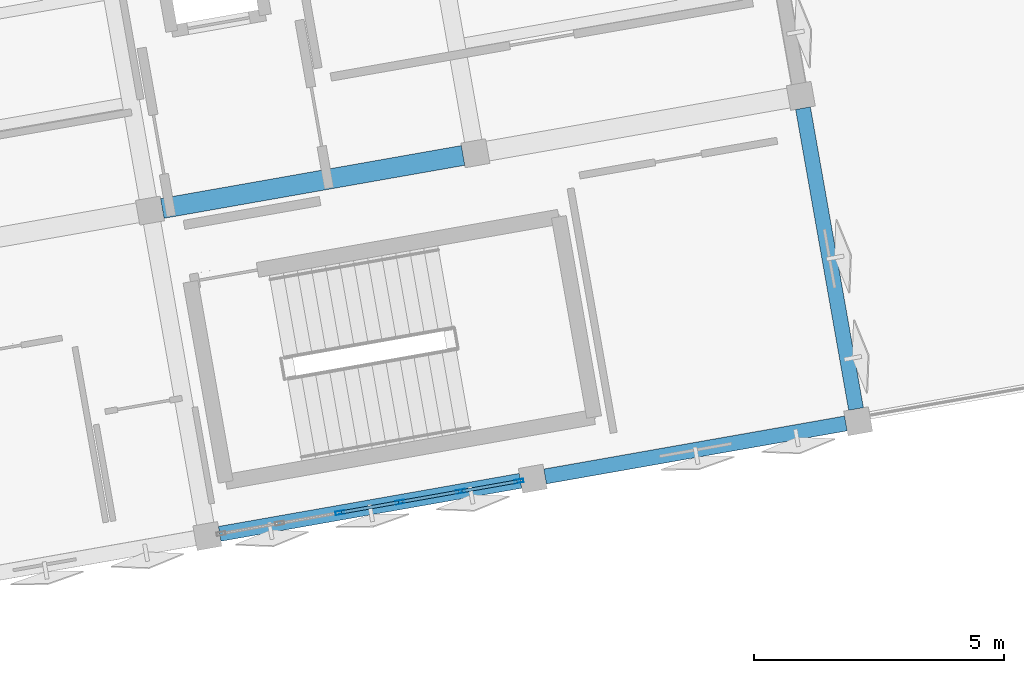
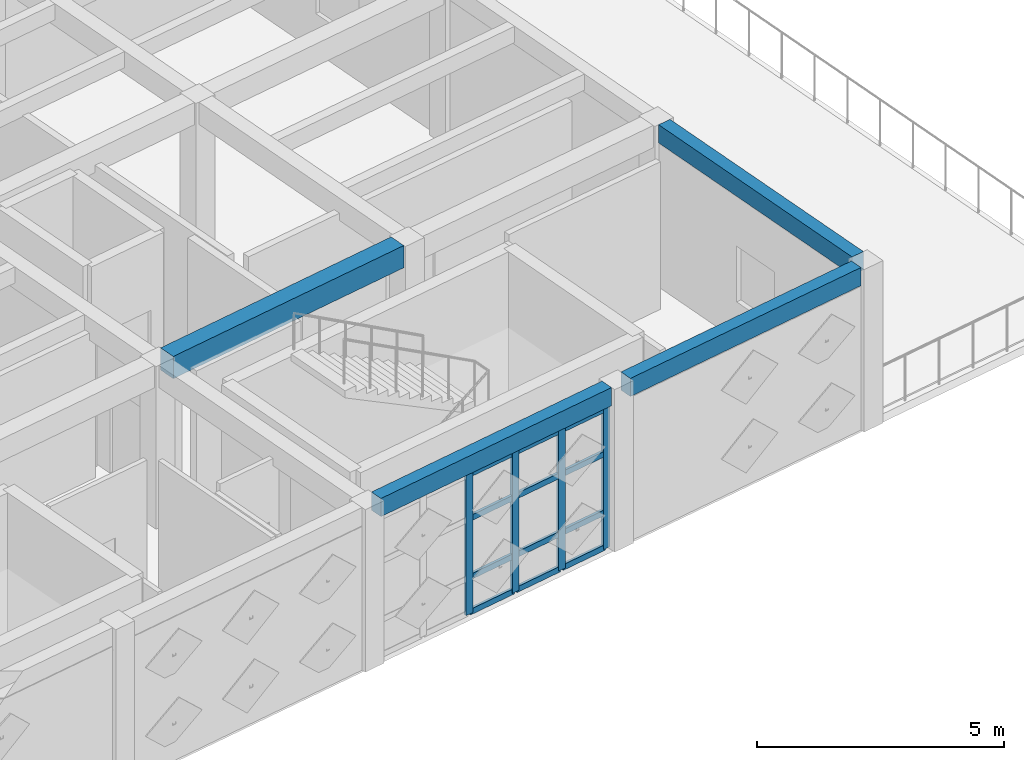
# One storey, part 4 of 13: 16 members, 4 beams, 1 element without a shape of its own.
"""IFC4 building model written with IfcOpenShell, lengths in metres."""

import ifcopenshell
import ifcopenshell.guid

model = None  # the IFC model being written
_history = None  # IfcOwnerHistory: only IFC2X3 demands one
_inside = {}  # id of a spatial element -> (the spatial element, [elements in it])
_under = {}  # id of a project, library or spatial element -> (it, [spatial elements below it])
_declared = {}  # id of a project -> (the project, [libraries it declares])
_typed = {}  # id of a type object -> (the type object, [elements of that type])
_made_of = {}  # id of a material, layer set ... -> (it, [elements and type objects made of it])


def new_model(schema):
    """Start an empty IFC model of exactly this schema.

    Asked for "IFC4X3", IfcOpenShell would pick the latest addendum, in which some entities
    have other attributes; the version numbers below select the first issue.
    IFC2X3 requires an IfcOwnerHistory on every rooted entity: one is made here for all.
    """
    global model, _history
    if schema == "IFC4X3":
        model = ifcopenshell.file(schema_version=(4, 3, 0, 0))
    else:
        model = ifcopenshell.file(schema=schema)
    _inside.clear()
    _under.clear()
    _declared.clear()
    _typed.clear()
    _made_of.clear()
    _history = None
    if model.schema == "IFC2X3":
        org = make("IfcOrganization", Name="unknown")
        user = make(
            "IfcPersonAndOrganization",
            ThePerson=make("IfcPerson", FamilyName="unknown"),
            TheOrganization=org,
        )
        app = make(
            "IfcApplication",
            ApplicationDeveloper=org,
            Version="unknown",
            ApplicationFullName="unknown",
            ApplicationIdentifier="unknown",
        )
        _history = make(
            "IfcOwnerHistory",
            OwningUser=user,
            OwningApplication=app,
            ChangeAction="ADDED",
            CreationDate=0,
        )
    return model


def make(cls, **values):
    """One entity of the class cls with the attributes given. An attribute that is None is left unset."""
    return model.create_entity(
        cls, **{name: value for name, value in values.items() if value is not None}
    )


def rooted(cls, **values):
    """An entity with a GlobalId (a new one), such as an element, a storey or a relation."""
    return make(cls, GlobalId=ifcopenshell.guid.new(), OwnerHistory=_history, **values)


def si_unit(unit_type, name, prefix=None):
    """IfcSIUnit, for example si_unit("LENGTHUNIT", "METRE", prefix="MILLI")."""
    return make("IfcSIUnit", UnitType=unit_type, Prefix=prefix, Name=name)


def assignment(units):
    """IfcUnitAssignment: the units of a project."""
    return None if units is None else make("IfcUnitAssignment", Units=units)


def point(xyz):
    """IfcCartesianPoint."""
    return None if xyz is None else make("IfcCartesianPoint", Coordinates=xyz)


def direction(xyz):
    """IfcDirection."""
    return None if xyz is None else make("IfcDirection", DirectionRatios=xyz)


def frame(location, z_axis=None, x_axis=None):
    """IfcAxis2Placement3D, a coordinate frame: its origin and axes. An axis left out is left unset."""
    return make(
        "IfcAxis2Placement3D",
        Location=point(location),
        Axis=direction(z_axis),
        RefDirection=direction(x_axis),
    )


def frame_2d(location, x_axis=None):
    """IfcAxis2Placement2D, a coordinate frame in the plane: its origin and x axis."""
    return make(
        "IfcAxis2Placement2D", Location=point(location), RefDirection=direction(x_axis)
    )


def origin():
    """The frame at (0, 0, 0) with its axes left unset."""
    return frame((0.0, 0.0, 0.0))


def origin_2d():
    """The frame at (0, 0) in the plane with its x axis left unset."""
    return frame_2d((0.0, 0.0))


def place(relative_to, where):
    """IfcLocalPlacement: puts the frame where relative to a parent placement (None: the world)."""
    return make(
        "IfcLocalPlacement", PlacementRelTo=relative_to, RelativePlacement=where
    )


def context(
    kind, dimensions, precision=None, world=None, true_north=None, identifier=None
):
    """IfcGeometricRepresentationContext, for example the 3D "Model" context."""
    return make(
        "IfcGeometricRepresentationContext",
        ContextIdentifier=identifier,
        ContextType=kind,
        CoordinateSpaceDimension=dimensions,
        Precision=precision,
        WorldCoordinateSystem=world,
        TrueNorth=true_north,
    )


def subcontext(parent, identifier, kind, view, scale=None):
    """IfcGeometricRepresentationSubContext, for example "Body" below "Model"."""
    return make(
        "IfcGeometricRepresentationSubContext",
        ContextIdentifier=identifier,
        ContextType=kind,
        ParentContext=parent,
        TargetScale=scale,
        TargetView=view,
    )


def project(units=None, contexts=None):
    """IfcProject with its units and contexts."""
    return rooted(
        "IfcProject",
        Name="project",
        RepresentationContexts=contexts,
        UnitsInContext=assignment(units),
    )


def spatial(cls, under=None, at=None, **own):
    """A site, building, storey or space (cls), placed at a placement, below another one or the project."""
    s = rooted(cls, ObjectPlacement=at, **own)
    if under is not None:
        _under.setdefault(under.id(), (under, []))[1].append(s)
    return s


def profile(cls, at=None, kind="AREA", **sizes):
    """A parametric profile (cls). Its sizes go by their IFC names, for example OverallWidth=200.0."""
    return make(cls, ProfileType=kind, Position=at, **sizes)


def rectangle(**sizes):
    """IfcRectangleProfileDef."""
    return profile("IfcRectangleProfileDef", **sizes)


def hollow_rectangle(**sizes):
    """IfcRectangleHollowProfileDef."""
    return profile("IfcRectangleHollowProfileDef", **sizes)


def extrude(swept, where, along, depth):
    """IfcExtrudedAreaSolid: the profile swept, set in the frame where, extruded along a direction by depth."""
    return make(
        "IfcExtrudedAreaSolid",
        SweptArea=swept,
        Position=where,
        ExtrudedDirection=direction(along),
        Depth=depth,
    )


def shape(context_of_items, identifier, shape_type, items):
    """IfcShapeRepresentation: the items that make up one representation, for example the "Body"."""
    return make(
        "IfcShapeRepresentation",
        ContextOfItems=context_of_items,
        RepresentationIdentifier=identifier,
        RepresentationType=shape_type,
        Items=items,
    )


def material(Name=None, Category=None):
    """IfcMaterial."""
    return make("IfcMaterial", Name=Name, Category=Category)


def layer(
    of_material, thickness, ventilated=None, Name=None, Category=None, Priority=None
):
    """IfcMaterialLayer: one layer of a wall or slab, of a material (None: an air gap)."""
    return make(
        "IfcMaterialLayer",
        Material=of_material,
        LayerThickness=thickness,
        IsVentilated=ventilated,
        Name=Name,
        Category=Category,
        Priority=Priority,
    )


def layer_set(layers, Name=None):
    """IfcMaterialLayerSet."""
    return make("IfcMaterialLayerSet", MaterialLayers=layers, LayerSetName=Name)


def material_profile(
    of_material, cross_section, Name=None, Category=None, Priority=None
):
    """IfcMaterialProfile: a cross section and its material."""
    return make(
        "IfcMaterialProfile",
        Name=Name,
        Material=of_material,
        Profile=cross_section,
        Priority=Priority,
        Category=Category,
    )


def profile_set(profiles, Name=None, composite=None):
    """IfcMaterialProfileSet."""
    return make(
        "IfcMaterialProfileSet",
        Name=Name,
        MaterialProfiles=profiles,
        CompositeProfile=composite,
    )


def made_of(thing, what):
    """Note that an element or type object is made of a material, layer set ...; save() writes the relation."""
    if what is not None:
        _made_of.setdefault(what.id(), (what, []))[1].append(thing)
    return thing


def type_object(cls, material=None, **own):
    """A type object (cls), such as IfcWallType, which elements share."""
    return made_of(rooted(cls, **own), material)


def element(
    cls,
    number,
    at=None,
    inside=None,
    cuts=None,
    type_object=None,
    material=None,
    context=None,
    identifier="Body",
    shape_type=None,
    held_by="IfcProductDefinitionShape",
    body=None,
    shapes=None,
    **own,
):
    """One element of the class cls, such as IfcWall. Its Tag is "e" and its number.

    at: its placement. inside: the storey or other place that contains it. cuts: it is an
    opening in that element (IfcRelVoidsElement). A single representation is given by context,
    identifier, shape_type and body (its items); several are given by shapes. held_by: the class
    of the entity that holds the representations. save() writes the other relations.
    """
    e = rooted(cls, Tag="e%d" % number, ObjectPlacement=at, **own)
    if body is not None:
        shapes = [shape(context, identifier, shape_type, body)]
    if shapes is not None:
        e.Representation = make(held_by, Representations=shapes)
    if inside is not None:
        _inside.setdefault(inside.id(), (inside, []))[1].append(e)
    if cuts is not None:
        rooted(
            "IfcRelVoidsElement", RelatingBuildingElement=cuts, RelatedOpeningElement=e
        )
    if type_object is not None:
        _typed.setdefault(type_object.id(), (type_object, []))[1].append(e)
    return made_of(e, material)


def aggregate(whole, parts):
    """IfcRelAggregates: a whole, such as a stair, and the parts it consists of."""
    return rooted("IfcRelAggregates", RelatingObject=whole, RelatedObjects=parts)


def save(model, path):
    """Write the relations noted so far, then the file.

    IfcRelAggregates (storeys below a building ...), IfcRelContainedInSpatialStructure (elements
    in a storey), IfcRelDefinesByType, IfcRelAssociatesMaterial and IfcRelDeclares: one each for
    every whole, place, type object, material and project.
    """
    for whole, parts in _under.values():
        aggregate(whole, parts)
    for where, things in _inside.values():
        rooted(
            "IfcRelContainedInSpatialStructure",
            RelatedElements=things,
            RelatingStructure=where,
        )
    for kind, things in _typed.values():
        rooted("IfcRelDefinesByType", RelatedObjects=things, RelatingType=kind)
    for what, things in _made_of.values():
        rooted("IfcRelAssociatesMaterial", RelatedObjects=things, RelatingMaterial=what)
    for by, libraries in _declared.values():
        rooted("IfcRelDeclares", RelatingContext=by, RelatedDefinitions=libraries)
    model.write(path)


model = new_model("IFC4")

# Units and contexts
model_context = context("Model", 3, precision=1e-05, world=origin(), true_north=direction((0.0, 1.0)))
body_context = subcontext(model_context, "Body", "Model", "MODEL_VIEW")
ifc_project = project(units=[si_unit("LENGTHUNIT", "METRE"), si_unit("AREAUNIT", "SQUARE_METRE"), si_unit("VOLUMEUNIT", "CUBIC_METRE"), si_unit("PLANEANGLEUNIT", "RADIAN"), si_unit("MASSUNIT", "GRAM", prefix="KILO")], contexts=[model_context])

# Site, building, storey
site_placement = place(None, origin())
site = spatial("IfcSite", under=ifc_project, at=site_placement, CompositionType="ELEMENT")
building_placement = place(site_placement, origin())
building = spatial("IfcBuilding", under=site, at=building_placement, Name="Kharisveld Research Institute", CompositionType="ELEMENT")
storey_placement = place(building_placement, frame((0.0, 0.0, 45.0)))
storey = spatial("IfcBuildingStorey", under=building, at=storey_placement, Name="L10", CompositionType="ELEMENT", Elevation=45.0)

# Beam
ifc_material_1 = material(Name="Concrete C40/50", Category="concrete")
ifc_material_profile_1 = material_profile(ifc_material_1, rectangle(XDim=0.39990234375, YDim=0.550048828125, at=origin_2d()))
ifc_profile_set_1 = profile_set([ifc_material_profile_1], Name="Concrete C40/50")
beam_type_1 = type_object("IfcBeamType", Name="BM_RC_400x550", PredefinedType="BEAM", material=ifc_profile_set_1)
beam_1_placement = place(storey_placement, frame((17.299560546875, 43.84521484375, 3.7451171875), z_axis=(0.984805711192, 0.173659757005, 0.0), x_axis=(-0.173659757005, 0.984805711192, 0.0)))
element("IfcBeam", 1, at=beam_1_placement, inside=storey, type_object=beam_type_1, Name="BM:V1:L10:U2_1", PredefinedType="BEAM", context=body_context, shape_type="SweptSolid", body=[
    extrude(rectangle(XDim=0.39990234375, YDim=0.550048828125, at=origin_2d()), origin(), (0.0, 0.0, 1.0), 6.10009765625),
])

# Curtain wall, members
ifc_material_2 = material(Name="Thermally Broken Aluminium Curtain Wall", Category="aluminium")
ifc_layer = layer(ifc_material_2, 0.159912109375)
ifc_layer_set = layer_set([ifc_layer], Name="CW_SYS_02")
curtain_wall_type = type_object("IfcCurtainWallType", Name="CW_SYS_02", PredefinedType="NOTDEFINED", material=ifc_layer_set)
curtain_wall_placement = place(storey_placement, origin())
curtain_wall = element("IfcCurtainWall", 2, at=curtain_wall_placement, inside=storey, type_object=curtain_wall_type, Name="CW:V1:L10:S3", PredefinedType="NOTDEFINED")
ifc_material_3 = material(Name="Anodised Aluminium AW-6063-T6", Category="aluminium")
ifc_material_profile_2 = material_profile(ifc_material_3, hollow_rectangle(XDim=0.070068359375, YDim=0.179931640625, WallThickness=0.00439453125, at=origin_2d()))
ifc_profile_set_2 = profile_set([ifc_material_profile_2], Name="Anodised Aluminium AW-6063-T6")
member_type_1 = type_object("IfcMemberType", Name="CW_MUL_180", PredefinedType="MULLION", material=ifc_profile_set_2)
member_1_placement = place(storey_placement, frame((24.42333984375, 38.399658203125, 0.0), z_axis=(0.0, 0.0, 1.0), x_axis=(0.173648102039, -0.984807766347, 0.0)))
member_1 = element("IfcMember", 3, at=member_1_placement, type_object=member_type_1, Name="CW-02 mullion 1", PredefinedType="MULLION", context=body_context, shape_type="SweptSolid", body=[
    extrude(hollow_rectangle(XDim=0.070068359375, YDim=0.179931640625, WallThickness=0.00439453125, at=origin_2d()), origin(), (0.0, 0.0, 1.0), 3.47998046875),
])
member_2_placement = place(storey_placement, frame((23.25439453125, 38.193603515625, 0.0), z_axis=(0.0, 0.0, 1.0), x_axis=(0.173648102039, -0.984807766347, 0.0)))
member_2 = element("IfcMember", 4, at=member_2_placement, type_object=member_type_1, Name="CW-02 mullion 2", PredefinedType="MULLION", context=body_context, shape_type="SweptSolid", body=[
    extrude(hollow_rectangle(XDim=0.070068359375, YDim=0.179931640625, WallThickness=0.00439453125, at=origin_2d()), origin(), (0.0, 0.0, 1.0), 3.47998046875),
])
member_3_placement = place(storey_placement, frame((22.051025390625, 37.981201171875, 0.0), z_axis=(0.0, 0.0, 1.0), x_axis=(0.173648102039, -0.984807766347, 0.0)))
member_3 = element("IfcMember", 5, at=member_3_placement, type_object=member_type_1, Name="CW-02 mullion 3", PredefinedType="MULLION", context=body_context, shape_type="SweptSolid", body=[
    extrude(hollow_rectangle(XDim=0.070068359375, YDim=0.179931640625, WallThickness=0.00439453125, at=origin_2d()), origin(), (0.0, 0.0, 1.0), 3.47998046875),
])
member_4_placement = place(storey_placement, frame((20.84765625, 37.76904296875, 0.0), z_axis=(0.0, 0.0, 1.0), x_axis=(0.173648102039, -0.984807766347, 0.0)))
member_4 = element("IfcMember", 6, at=member_4_placement, type_object=member_type_1, Name="CW-02 mullion 4", PredefinedType="MULLION", context=body_context, shape_type="SweptSolid", body=[
    extrude(hollow_rectangle(XDim=0.070068359375, YDim=0.179931640625, WallThickness=0.00439453125, at=origin_2d()), origin(), (0.0, 0.0, 1.0), 3.47998046875),
])
ifc_material_4 = material(Name="Anodised Aluminium AW-6063-T6", Category="aluminium")
ifc_material_profile_3 = material_profile(ifc_material_4, hollow_rectangle(XDim=0.06494140625, YDim=0.139892578125, WallThickness=0.00390625, at=origin_2d()))
ifc_profile_set_3 = profile_set([ifc_material_profile_3], Name="Anodised Aluminium AW-6063-T6")
member_type_2 = type_object("IfcMemberType", Name="CW_TRN_140", PredefinedType="USERDEFINED", material=ifc_profile_set_3)
member_5_placement = place(storey_placement, frame((24.388916015625, 38.3935546875, 0.032470703125), z_axis=(-0.984783558818, -0.173785333909, 0.0), x_axis=(0.173785333909, -0.984783558818, 0.0)))
member_5 = element("IfcMember", 7, at=member_5_placement, type_object=member_type_2, Name="CW-02 transom 1.1", ObjectType="TRANSOM", PredefinedType="USERDEFINED", context=body_context, shape_type="SweptSolid", body=[
    extrude(hollow_rectangle(XDim=0.06494140625, YDim=0.139892578125, WallThickness=0.00390625, at=origin_2d()), origin(), (0.0, 0.0, 1.0), 1.116943359375),
])
member_6_placement = place(storey_placement, frame((24.388916015625, 38.3935546875, 0.89990234375), z_axis=(-0.984783558818, -0.173785333909, 0.0), x_axis=(0.173785333909, -0.984783558818, 0.0)))
member_6 = element("IfcMember", 8, at=member_6_placement, type_object=member_type_2, Name="CW-02 transom 1.2", ObjectType="TRANSOM", PredefinedType="USERDEFINED", context=body_context, shape_type="SweptSolid", body=[
    extrude(hollow_rectangle(XDim=0.06494140625, YDim=0.139892578125, WallThickness=0.00390625, at=origin_2d()), origin(), (0.0, 0.0, 1.0), 1.116943359375),
])
member_7_placement = place(storey_placement, frame((24.388916015625, 38.3935546875, 2.35009765625), z_axis=(-0.984783558818, -0.173785333909, 0.0), x_axis=(0.173785333909, -0.984783558818, 0.0)))
member_7 = element("IfcMember", 9, at=member_7_placement, type_object=member_type_2, Name="CW-02 transom 1.3", ObjectType="TRANSOM", PredefinedType="USERDEFINED", context=body_context, shape_type="SweptSolid", body=[
    extrude(hollow_rectangle(XDim=0.06494140625, YDim=0.139892578125, WallThickness=0.00390625, at=origin_2d()), origin(), (0.0, 0.0, 1.0), 1.116943359375),
])
member_8_placement = place(storey_placement, frame((24.388916015625, 38.3935546875, 3.447509765625), z_axis=(-0.984783558818, -0.173785333909, 0.0), x_axis=(0.173785333909, -0.984783558818, 0.0)))
member_8 = element("IfcMember", 10, at=member_8_placement, type_object=member_type_2, Name="CW-02 transom 1.4", ObjectType="TRANSOM", PredefinedType="USERDEFINED", context=body_context, shape_type="SweptSolid", body=[
    extrude(hollow_rectangle(XDim=0.06494140625, YDim=0.139892578125, WallThickness=0.00390625, at=origin_2d()), origin(), (0.0, 0.0, 1.0), 1.116943359375),
])
member_9_placement = place(storey_placement, frame((23.219970703125, 38.1875, 0.032470703125), z_axis=(-0.984785692152, -0.17377324458, 0.0), x_axis=(0.17377324458, -0.984785692152, 0.0)))
member_9 = element("IfcMember", 11, at=member_9_placement, type_object=member_type_2, Name="CW-02 transom 2.1", ObjectType="TRANSOM", PredefinedType="USERDEFINED", context=body_context, shape_type="SweptSolid", body=[
    extrude(hollow_rectangle(XDim=0.06494140625, YDim=0.139892578125, WallThickness=0.00390625, at=origin_2d()), origin(), (0.0, 0.0, 1.0), 1.152099609375),
])
member_10_placement = place(storey_placement, frame((23.219970703125, 38.1875, 0.89990234375), z_axis=(-0.984785692152, -0.17377324458, 0.0), x_axis=(0.17377324458, -0.984785692152, 0.0)))
member_10 = element("IfcMember", 12, at=member_10_placement, type_object=member_type_2, Name="CW-02 transom 2.2", ObjectType="TRANSOM", PredefinedType="USERDEFINED", context=body_context, shape_type="SweptSolid", body=[
    extrude(hollow_rectangle(XDim=0.06494140625, YDim=0.139892578125, WallThickness=0.00390625, at=origin_2d()), origin(), (0.0, 0.0, 1.0), 1.152099609375),
])
member_11_placement = place(storey_placement, frame((23.219970703125, 38.1875, 2.35009765625), z_axis=(-0.984785692152, -0.17377324458, 0.0), x_axis=(0.17377324458, -0.984785692152, 0.0)))
member_11 = element("IfcMember", 13, at=member_11_placement, type_object=member_type_2, Name="CW-02 transom 2.3", ObjectType="TRANSOM", PredefinedType="USERDEFINED", context=body_context, shape_type="SweptSolid", body=[
    extrude(hollow_rectangle(XDim=0.06494140625, YDim=0.139892578125, WallThickness=0.00390625, at=origin_2d()), origin(), (0.0, 0.0, 1.0), 1.152099609375),
])
member_12_placement = place(storey_placement, frame((23.219970703125, 38.1875, 3.447509765625), z_axis=(-0.984785692152, -0.17377324458, 0.0), x_axis=(0.17377324458, -0.984785692152, 0.0)))
member_12 = element("IfcMember", 14, at=member_12_placement, type_object=member_type_2, Name="CW-02 transom 2.4", ObjectType="TRANSOM", PredefinedType="USERDEFINED", context=body_context, shape_type="SweptSolid", body=[
    extrude(hollow_rectangle(XDim=0.06494140625, YDim=0.139892578125, WallThickness=0.00390625, at=origin_2d()), origin(), (0.0, 0.0, 1.0), 1.152099609375),
])
member_13_placement = place(storey_placement, frame((22.0166015625, 37.97509765625, 0.032470703125), z_axis=(-0.984821937543, -0.173567713976, 0.0), x_axis=(0.173567713976, -0.984821937543, 0.0)))
member_13 = element("IfcMember", 15, at=member_13_placement, type_object=member_type_2, Name="CW-02 transom 3.1", ObjectType="TRANSOM", PredefinedType="USERDEFINED", context=body_context, shape_type="SweptSolid", body=[
    extrude(hollow_rectangle(XDim=0.06494140625, YDim=0.139892578125, WallThickness=0.00390625, at=origin_2d()), origin(), (0.0, 0.0, 1.0), 1.152099609375),
])
member_14_placement = place(storey_placement, frame((22.0166015625, 37.97509765625, 0.89990234375), z_axis=(-0.984821937543, -0.173567713976, 0.0), x_axis=(0.173567713976, -0.984821937543, 0.0)))
member_14 = element("IfcMember", 16, at=member_14_placement, type_object=member_type_2, Name="CW-02 transom 3.2", ObjectType="TRANSOM", PredefinedType="USERDEFINED", context=body_context, shape_type="SweptSolid", body=[
    extrude(hollow_rectangle(XDim=0.06494140625, YDim=0.139892578125, WallThickness=0.00390625, at=origin_2d()), origin(), (0.0, 0.0, 1.0), 1.152099609375),
])
member_15_placement = place(storey_placement, frame((22.0166015625, 37.97509765625, 2.35009765625), z_axis=(-0.984821937543, -0.173567713976, 0.0), x_axis=(0.173567713976, -0.984821937543, 0.0)))
member_15 = element("IfcMember", 17, at=member_15_placement, type_object=member_type_2, Name="CW-02 transom 3.3", ObjectType="TRANSOM", PredefinedType="USERDEFINED", context=body_context, shape_type="SweptSolid", body=[
    extrude(hollow_rectangle(XDim=0.06494140625, YDim=0.139892578125, WallThickness=0.00390625, at=origin_2d()), origin(), (0.0, 0.0, 1.0), 1.152099609375),
])
member_16_placement = place(storey_placement, frame((22.0166015625, 37.97509765625, 3.447509765625), z_axis=(-0.984821937543, -0.173567713976, 0.0), x_axis=(0.173567713976, -0.984821937543, 0.0)))
member_16 = element("IfcMember", 18, at=member_16_placement, type_object=member_type_2, Name="CW-02 transom 3.4", ObjectType="TRANSOM", PredefinedType="USERDEFINED", context=body_context, shape_type="SweptSolid", body=[
    extrude(hollow_rectangle(XDim=0.06494140625, YDim=0.139892578125, WallThickness=0.00390625, at=origin_2d()), origin(), (0.0, 0.0, 1.0), 1.152099609375),
])
aggregate(curtain_wall, [member_1, member_2, member_3, member_4, member_5, member_6, member_7, member_8, member_9, member_10, member_11, member_12, member_13, member_14, member_15, member_16])

# Beams
ifc_material_5 = material(Name="Concrete C40/50", Category="concrete")
ifc_material_profile_4 = material_profile(ifc_material_5, rectangle(XDim=0.300048828125, YDim=0.449951171875, at=origin_2d()))
ifc_profile_set_4 = profile_set([ifc_material_profile_4], Name="Concrete C40/50")
beam_type_2 = type_object("IfcBeamType", Name="SP_RC_300x450", PredefinedType="SPANDREL", material=ifc_profile_set_4)
beam_2_placement = place(storey_placement, frame((18.445556640625, 37.345458984375, 3.794921875), z_axis=(0.984805711192, 0.173659757005, 0.0), x_axis=(-0.173659757005, 0.984805711192, 0.0)))
element("IfcBeam", 19, at=beam_2_placement, inside=storey, type_object=beam_type_2, Name="BM:V1:L10:U2_0", PredefinedType="SPANDREL", context=body_context, shape_type="SweptSolid", body=[
    extrude(rectangle(XDim=0.300048828125, YDim=0.449951171875, at=origin_2d()), origin(), (0.0, 0.0, 1.0), 6.10009765625),
])
beam_3_placement = place(storey_placement, frame((24.9453125, 38.49169921875, 3.794921875), z_axis=(0.984812555252, 0.173620940611, 0.0), x_axis=(-0.173620940611, 0.984812555252, 0.0)))
element("IfcBeam", 20, at=beam_3_placement, inside=storey, type_object=beam_type_2, Name="BM:V1:L10:U3_0", PredefinedType="SPANDREL", context=body_context, shape_type="SweptSolid", body=[
    extrude(rectangle(XDim=0.300048828125, YDim=0.449951171875, at=origin_2d()), origin(), (0.0, 0.0, 1.0), 6.099853515625),
])
beam_4_placement = place(storey_placement, frame((31.155517578125, 39.840576171875, 3.794921875), z_axis=(-0.173659757005, 0.984805711192, 0.0), x_axis=(-0.984805711192, -0.173659757005, 0.0)))
element("IfcBeam", 21, at=beam_4_placement, inside=storey, type_object=beam_type_2, Name="BM:V1:L10:V4_0", PredefinedType="SPANDREL", context=body_context, shape_type="SweptSolid", body=[
    extrude(rectangle(XDim=0.300048828125, YDim=0.449951171875, at=origin_2d()), origin(), (0.0, 0.0, 1.0), 6.10009765625),
])

save(model, "model.ifc")
